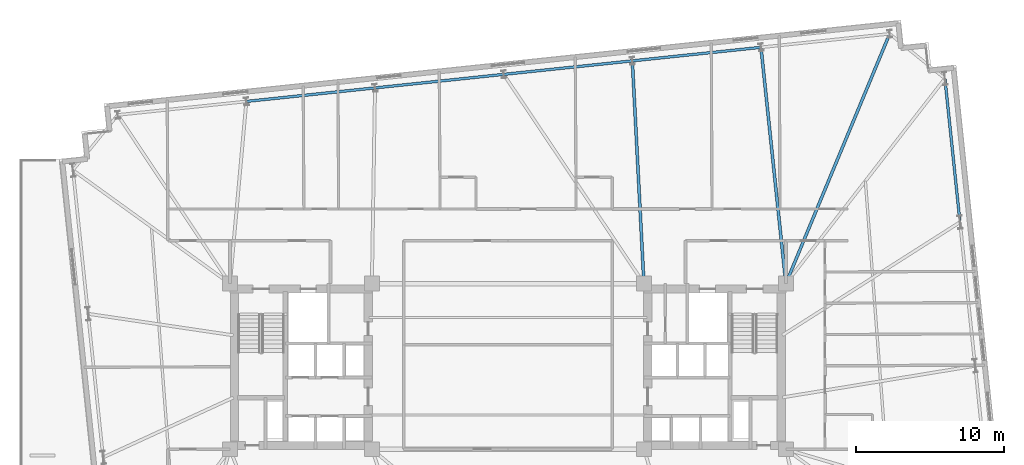
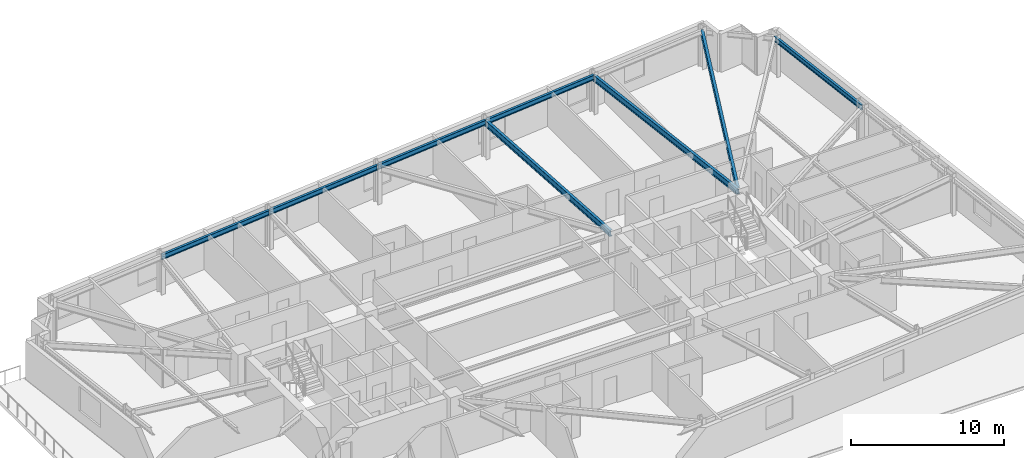
# One storey, part 9 of 20: 8 beams.
"""IFC4 building model written with IfcOpenShell, lengths in metres."""

from ifc_helpers import new_model, si_unit, direction, frame, origin, origin_2d, place, context, subcontext, project, spatial, i_section, extrude, material, material_profile, profile_set, type_object, element, save


model = new_model("IFC4")

# Units and contexts
model_context = context("Model", 3, precision=1e-05, world=origin(), true_north=direction((0.0, 1.0)))
body_context = subcontext(model_context, "Body", "Model", "MODEL_VIEW")
ifc_project = project(units=[si_unit("LENGTHUNIT", "METRE"), si_unit("AREAUNIT", "SQUARE_METRE"), si_unit("VOLUMEUNIT", "CUBIC_METRE"), si_unit("PLANEANGLEUNIT", "RADIAN"), si_unit("MASSUNIT", "GRAM", prefix="KILO")], contexts=[model_context])

# Site, building, storey
site_placement = place(None, origin())
site = spatial("IfcSite", under=ifc_project, at=site_placement, CompositionType="ELEMENT")
building_placement = place(site_placement, origin())
building = spatial("IfcBuilding", under=site, at=building_placement, Name="Qobustan Lattice House", CompositionType="ELEMENT")
storey_placement = place(building_placement, frame((0.0, 0.0, 79.0)))
storey = spatial("IfcBuildingStorey", under=building, at=storey_placement, Name="L21", CompositionType="ELEMENT", Elevation=79.0)

# Beams
ifc_material_1 = material(Name="Steel S355", Category="steel")
ifc_material_profile_1 = material_profile(ifc_material_1, i_section(OverallWidth=0.199951171875, OverallDepth=0.5, WebThickness=0.01025390625, FlangeThickness=0.01611328125, FilletRadius=0.02099609375, at=origin_2d()), Name="IPE500")
ifc_profile_set_1 = profile_set([ifc_material_profile_1], Name="Steel S355")
beam_type_1 = type_object("IfcBeamType", Name="BM-FLG-IPE500", PredefinedType="USERDEFINED", material=ifc_profile_set_1)
beam_1_placement = place(storey_placement, frame((8.41650390625, 20.640625, 2.794921875), z_axis=(0.052023629628, -0.998645854125, 0.0), x_axis=(0.998645854125, 0.052023629628, 0.0)))
element("IfcBeam", 1, at=beam_1_placement, inside=storey, type_object=beam_type_1, Name="L21 primary floor girder RAD-N3", ObjectType="GIRDER", PredefinedType="USERDEFINED", context=body_context, shape_type="SweptSolid", body=[
    extrude(i_section(OverallWidth=0.199951171875, OverallDepth=0.5, WebThickness=0.01025390625, FlangeThickness=0.01611328125, FilletRadius=0.02099609375, at=origin_2d()), origin(), (0.0, 0.0, 1.0), 15.035888671875),
])
beam_2_placement = place(storey_placement, frame((17.1201171875, 21.555419921875, 2.794921875), z_axis=(0.104706999053, -0.994503114298, 0.0), x_axis=(0.994503114298, 0.104706999053, 0.0)))
element("IfcBeam", 2, at=beam_2_placement, inside=storey, type_object=beam_type_1, Name="L21 primary floor girder RAD-N2", ObjectType="GIRDER", PredefinedType="USERDEFINED", context=body_context, shape_type="SweptSolid", body=[
    extrude(i_section(OverallWidth=0.199951171875, OverallDepth=0.5, WebThickness=0.01025390625, FlangeThickness=0.01611328125, FilletRadius=0.02099609375, at=origin_2d()), origin(), (0.0, 0.0, 1.0), 16.0185546875),
])
beam_3_placement = place(storey_placement, frame((25.809814453125, 22.471923828125, 2.794921875), z_axis=(-0.383675501465, -0.923467979724, 0.0), x_axis=(0.923467979724, -0.383675501465, 0.0)))
element("IfcBeam", 3, at=beam_3_placement, inside=storey, type_object=beam_type_1, Name="L21 primary floor girder RAD-N1E", ObjectType="GIRDER", PredefinedType="USERDEFINED", context=body_context, shape_type="SweptSolid", body=[
    extrude(i_section(OverallWidth=0.199951171875, OverallDepth=0.5, WebThickness=0.01025390625, FlangeThickness=0.01611328125, FilletRadius=0.02099609375, at=origin_2d()), origin(), (0.0, 0.0, 1.0), 18.2451171875),
])
ifc_material_2 = material(Name="Steel S355", Category="steel")
ifc_material_profile_2 = material_profile(ifc_material_2, i_section(OverallWidth=0.179931640625, OverallDepth=0.39990234375, WebThickness=0.008544921875, FlangeThickness=0.013427734375, FilletRadius=0.02099609375, at=origin_2d()), Name="IPE400")
ifc_profile_set_2 = profile_set([ifc_material_profile_2], Name="Steel S355")
beam_type_2 = type_object("IfcBeamType", Name="BM-SPD-IPE400", PredefinedType="SPANDREL", material=ifc_profile_set_2)
beam_4_placement = place(storey_placement, frame((30.574462890625, 9.78076171875, 2.844970703125), z_axis=(-0.104525214252, 0.994522236848, 0.0), x_axis=(-0.994522236848, -0.104525214252, 0.0)))
element("IfcBeam", 4, at=beam_4_placement, inside=storey, type_object=beam_type_2, Name="L21 perimeter spandrel E3-E4", PredefinedType="SPANDREL", context=body_context, shape_type="SweptSolid", body=[
    extrude(i_section(OverallWidth=0.179931640625, OverallDepth=0.39990234375, WebThickness=0.008544921875, FlangeThickness=0.013427734375, FilletRadius=0.02099609375, at=origin_2d()), origin(), (0.0, 0.0, 1.0), 9.716552734375),
])
beam_5_placement = place(storey_placement, frame((17.092529296875, 21.577880859375, 2.844970703125), z_axis=(-0.994518668742, -0.104559158006, 0.0), x_axis=(0.104559158006, -0.994518668742, 0.0)))
element("IfcBeam", 5, at=beam_5_placement, inside=storey, type_object=beam_type_2, Name="L21 perimeter spandrel N2-N3", PredefinedType="SPANDREL", context=body_context, shape_type="SweptSolid", body=[
    extrude(i_section(OverallWidth=0.179931640625, OverallDepth=0.39990234375, WebThickness=0.008544921875, FlangeThickness=0.013427734375, FilletRadius=0.02099609375, at=origin_2d()), origin(), (0.0, 0.0, 1.0), 8.699951171875),
])
beam_6_placement = place(storey_placement, frame((8.390380859375, 20.6630859375, 2.844970703125), z_axis=(-0.994521279781, -0.10453432002, 0.0), x_axis=(0.10453432002, -0.994521279781, 0.0)))
element("IfcBeam", 6, at=beam_6_placement, inside=storey, type_object=beam_type_2, Name="L21 perimeter spandrel N3-N4", PredefinedType="SPANDREL", context=body_context, shape_type="SweptSolid", body=[
    extrude(i_section(OverallWidth=0.179931640625, OverallDepth=0.39990234375, WebThickness=0.008544921875, FlangeThickness=0.013427734375, FilletRadius=0.02099609375, at=origin_2d()), origin(), (0.0, 0.0, 1.0), 8.69970703125),
])
for number, where, z_axis, x_axis, name in (
    (7, (-0.3115234375, 19.74853515625, 2.844970703125), (-0.994521586424, -0.104531402636, 0.0), (0.104531402636, -0.994521586424, 0.0), "L21 perimeter spandrel N4-N5"),
    (8, (-9.013671875, 18.833984375, 2.844970703125), (-0.994521586424, -0.104531402636, 0.0), (0.104531402636, -0.994521586424, 0.0), "L21 perimeter spandrel N5-N6"),
):
    element("IfcBeam", number, at=place(storey_placement, frame(where, z_axis=z_axis, x_axis=x_axis)), inside=storey, type_object=beam_type_2, Name=name, PredefinedType="SPANDREL", context=body_context, shape_type="SweptSolid", body=[
        extrude(i_section(OverallWidth=0.179931640625, OverallDepth=0.39990234375, WebThickness=0.008544921875, FlangeThickness=0.013427734375, FilletRadius=0.02099609375, at=origin_2d()), origin(), (0.0, 0.0, 1.0), 8.699951171875),
    ])

save(model, "model.ifc")
